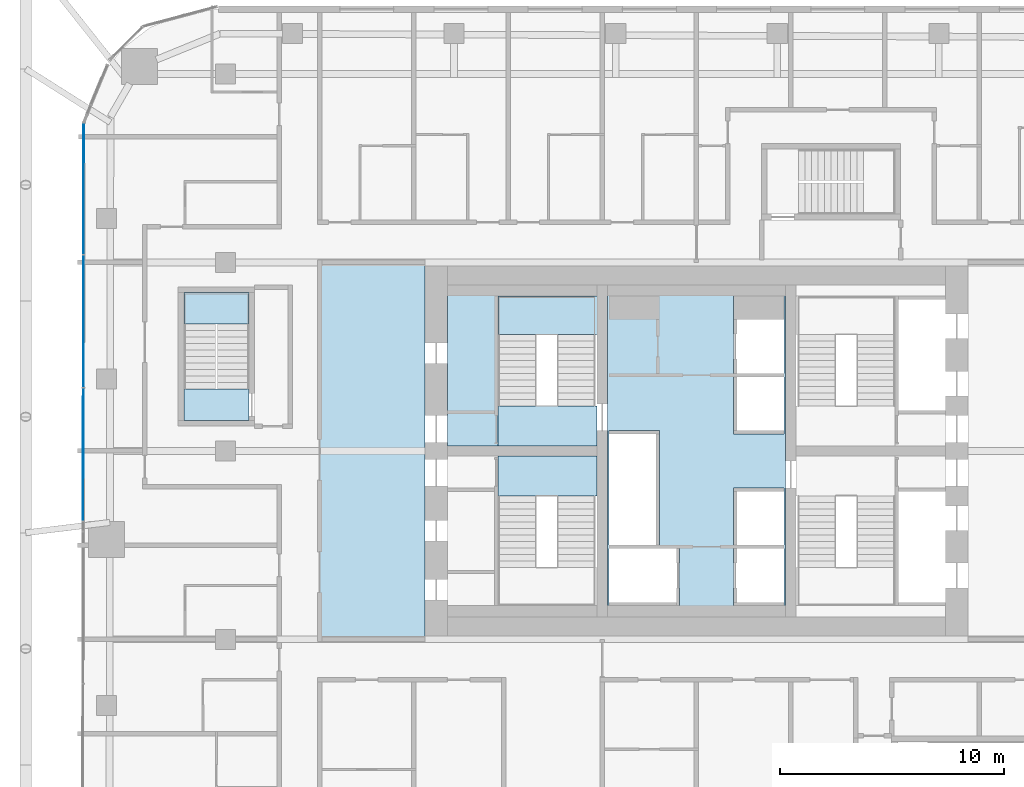
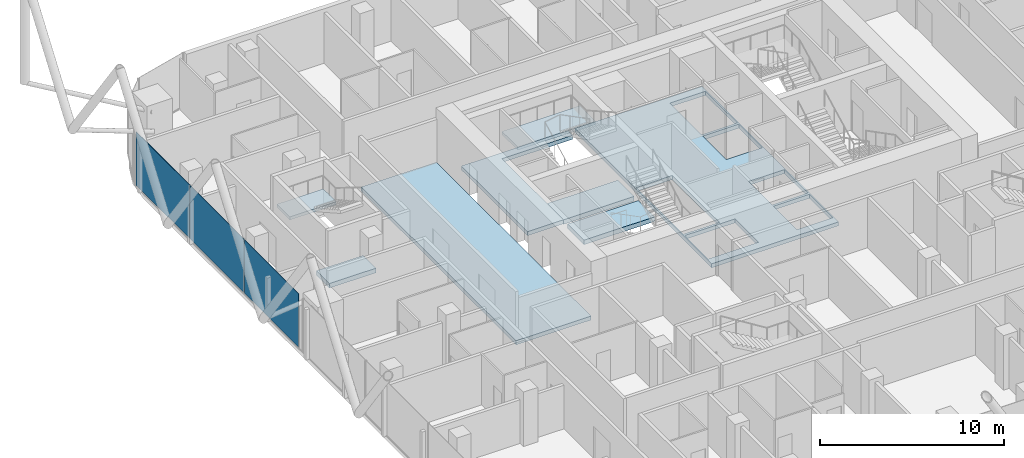
# One storey, part 24 of 36: 8 slabs, 3 plates, 3 elements without a shape of their own.
"""IFC4 building model written with IfcOpenShell, lengths in metres."""

from ifc_helpers import new_model, si_unit, direction, frame, origin, origin_2d, place, context, subcontext, project, spatial, polyline, rectangle, outline, extrude, material, layer, layer_set, type_object, element, aggregate, save


model = new_model("IFC4")

# Units and contexts
model_context = context("Model", 3, precision=1e-05, world=origin(), true_north=direction((0.0, 1.0)))
body_context = subcontext(model_context, "Body", "Model", "MODEL_VIEW")
ifc_project = project(units=[si_unit("LENGTHUNIT", "METRE"), si_unit("AREAUNIT", "SQUARE_METRE"), si_unit("VOLUMEUNIT", "CUBIC_METRE"), si_unit("PLANEANGLEUNIT", "RADIAN"), si_unit("MASSUNIT", "GRAM", prefix="KILO")], contexts=[model_context])

# Site, building, storey
site_placement = place(None, origin())
site = spatial("IfcSite", under=ifc_project, at=site_placement, CompositionType="ELEMENT")
building_placement = place(site_placement, origin())
building = spatial("IfcBuilding", under=site, at=building_placement, Name="Marenta Gate Hotel Tower", CompositionType="ELEMENT")
storey_placement = place(building_placement, frame((0.0, 0.0, 115.699951171875)))
storey = spatial("IfcBuildingStorey", under=building, at=storey_placement, Name="L25", CompositionType="ELEMENT", Elevation=115.699951171875)

# Slabs
ifc_material_1 = material(Name="Concrete C40", Category="concrete")
ifc_layer_1 = layer(ifc_material_1, 0.260009765625)
ifc_layer_set_1 = layer_set([ifc_layer_1], Name="Concrete C40")
slab_type_1 = type_object("IfcSlabType", Name="Core floor slab 260", PredefinedType="FLOOR", material=ifc_layer_set_1)
slab_1_placement = place(storey_placement, frame((0.0, 0.0, -0.260009765625)))
element("IfcSlab", 1, at=slab_1_placement, inside=storey, type_object=slab_type_1, Name="L25-CF-4", PredefinedType="FLOOR", context=body_context, shape_type="SweptSolid", body=[
    extrude(outline(polyline([(3.97509765625, 15.300048828125), (3.97509765625, 10.39990234375), (3.97509765625, 6.39990234375), (3.97509765625, 1.5), (3.97509765625, 1.0), (-3.97509765625, 1.0), (-3.97509765625, 1.5), (-3.97509765625, 6.39990234375), (-3.97509765625, 10.39990234375), (-3.97509765625, 15.300048828125), (-3.97509765625, 15.800048828125), (3.97509765625, 15.800048828125), (3.97509765625, 15.300048828125)]), holes=[polyline([(1.64990234375, 1.5), (3.89990234375, 1.5), (3.89990234375, 1.64990234375), (3.89990234375, 4.050048828125), (1.800048828125, 4.050048828125), (1.64990234375, 4.050048828125), (1.64990234375, 1.64990234375), (1.64990234375, 1.5)]), polyline([(1.64990234375, 6.60009765625), (1.64990234375, 4.199951171875), (1.800048828125, 4.199951171875), (3.89990234375, 4.199951171875), (3.89990234375, 6.60009765625), (3.89990234375, 6.75), (1.64990234375, 6.75), (1.64990234375, 6.60009765625)]), polyline([(1.64990234375, 9.14990234375), (3.89990234375, 9.14990234375), (3.89990234375, 9.300048828125), (3.89990234375, 11.699951171875), (1.800048828125, 11.699951171875), (1.64990234375, 11.699951171875), (1.64990234375, 9.300048828125), (1.64990234375, 9.14990234375)]), polyline([(1.64990234375, 15.300048828125), (1.64990234375, 14.25), (1.64990234375, 11.85009765625), (1.800048828125, 11.85009765625), (3.89990234375, 11.85009765625), (3.89990234375, 14.25), (3.89990234375, 15.300048828125), (1.64990234375, 15.300048828125)]), polyline([(-3.89990234375, 4.050048828125), (-3.89990234375, 1.64990234375), (-3.89990234375, 1.5), (-0.89990234375, 1.5), (-0.75, 1.5), (-0.75, 4.050048828125), (-0.89990234375, 4.050048828125), (-3.89990234375, 4.050048828125)]), polyline([(-1.800048828125, 4.199951171875), (-1.64990234375, 4.199951171875), (-1.64990234375, 9.14990234375), (-1.64990234375, 9.300048828125), (-3.89990234375, 9.300048828125), (-3.89990234375, 9.14990234375), (-3.89990234375, 6.75), (-3.89990234375, 6.60009765625), (-3.89990234375, 4.199951171875), (-1.800048828125, 4.199951171875)])]), origin(), (0.0, 0.0, 1.0), 0.260009765625),
])
slab_2_placement = place(storey_placement, frame((0.0, 0.0, -0.260009765625)))
element("IfcSlab", 2, at=slab_2_placement, inside=storey, type_object=slab_type_1, Name="L25-CF-6", PredefinedType="FLOOR", context=body_context, shape_type="SweptSolid", body=[
    extrude(outline(polyline([(-4.425048828125, 15.300048828125), (-8.85009765625, 15.300048828125), (-8.85009765625, 10.39990234375), (-8.85009765625, 8.699951171875), (-8.85009765625, 8.625), (-11.10009765625, 8.625), (-11.10009765625, 15.800048828125), (-4.425048828125, 15.800048828125), (-4.425048828125, 15.300048828125)])), origin(), (0.0, 0.0, 1.0), 0.260009765625),
])
slab_3_placement = place(storey_placement, frame((0.0, 0.0, -0.260009765625)))
element("IfcSlab", 3, at=slab_3_placement, inside=storey, type_object=slab_type_1, Name="L25-CF-7", PredefinedType="FLOOR", context=body_context, shape_type="SweptSolid", body=[
    extrude(outline(polyline([(-12.10009765625, 16.800048828125), (-12.10009765625, 0.0), (-16.800048828125, 0.0), (-16.800048828125, 16.800048828125), (-12.10009765625, 16.800048828125)])), origin(), (0.0, 0.0, 1.0), 0.260009765625),
])

# Stair, slab
ifc_material_2 = material(Name="Concrete C40", Category="concrete")
stair_type_1 = type_object("IfcStairType", Name="Core exit stair 1700 wide", PredefinedType="HALF_TURN_STAIR", material=ifc_material_2)
stair_1_placement = place(storey_placement, origin())
stair_1 = element("IfcStair", 4, at=stair_1_placement, inside=storey, type_object=stair_type_1, Name="Exit stair 2", PredefinedType="HALF_TURN_STAIR")
ifc_material_3 = material(Name="Concrete C40", Category="concrete")
ifc_layer_2 = layer(ifc_material_3, 0.199951171875)
ifc_layer_set_2 = layer_set([ifc_layer_2], Name="Concrete C40")
slab_type_2 = type_object("IfcSlabType", Name="Core stair landing 200", PredefinedType="LANDING", material=ifc_layer_set_2)
slab_4_placement = place(storey_placement, frame((0.0, 0.0, 1.60009765625)))
slab_4 = element("IfcSlab", 5, at=slab_4_placement, type_object=slab_type_2, Name="SL-200 ST2 landing 1", PredefinedType="LANDING", context=body_context, shape_type="SweptSolid", body=[
    extrude(outline(polyline([(-8.85009765625, 13.590087890625), (-3.97509765625, 13.590087890625), (-3.97509765625, 15.300048828125), (-8.85009765625, 15.300048828125), (-8.85009765625, 13.590087890625)])), origin(), (0.0, 0.0, 1.0), 0.199951171875),
])
aggregate(stair_1, [slab_4])

# Curtain wall, plates
ifc_material_4 = material(Name="Tinted insulated glass in bronze anodised frame", Category="glass")
ifc_layer_3 = layer(ifc_material_4, 0.1201171875)
ifc_layer_set_3 = layer_set([ifc_layer_3], Name="Tinted insulated glass in bronze anodised frame")
curtain_wall_type = type_object("IfcCurtainWallType", Name="Tower unitised curtain wall CW1", PredefinedType="NOTDEFINED", material=ifc_layer_set_3)
curtain_wall_placement = place(storey_placement, origin())
curtain_wall = element("IfcCurtainWall", 6, at=curtain_wall_placement, inside=storey, type_object=curtain_wall_type, Name="CW1 run G06", PredefinedType="NOTDEFINED")
ifc_material_5 = material(Name="Tinted insulated glass", Category="glass")
ifc_layer_4 = layer(ifc_material_5, 0.028076171875)
ifc_layer_set_4 = layer_set([ifc_layer_4], Name="Tinted insulated glass")
plate_type = type_object("IfcPlateType", Name="Glass panel CW1 28 mm tinted insulated unit", PredefinedType="CURTAIN_PANEL", material=ifc_layer_set_4)
plate_1_placement = place(storey_placement, frame((-27.31689453125, 20.0888671875, 0.06005859375), z_axis=(0.0, 0.0, 1.0), x_axis=(-0.001569680138, -0.999998768051, 0.0)))
plate_1 = element("IfcPlate", 7, at=plate_1_placement, type_object=plate_type, Name="CW1 panel 1.1", PredefinedType="CURTAIN_PANEL", context=body_context, shape_type="SweptSolid", body=[
    extrude(rectangle(XDim=5.834716796875, YDim=0.028076171875, at=origin_2d()), origin(), (0.0, 0.0, 1.0), 3.5400390625),
])
plate_2_placement = place(storey_placement, frame((-27.326171875, 14.178955078125, 0.06005859375), z_axis=(0.0, 0.0, 1.0), x_axis=(-0.001569680138, -0.999998768051, 0.0)))
plate_2 = element("IfcPlate", 8, at=plate_2_placement, type_object=plate_type, Name="CW1 panel 2.1", PredefinedType="CURTAIN_PANEL", context=body_context, shape_type="SweptSolid", body=[
    extrude(rectangle(XDim=5.86474609375, YDim=0.028076171875, at=origin_2d()), origin(), (0.0, 0.0, 1.0), 3.5400390625),
])
plate_3_placement = place(storey_placement, frame((-27.335693359375, 8.2392578125, 0.06005859375), z_axis=(0.0, 0.0, 1.0), x_axis=(-0.001569680138, -0.999998768051, 0.0)))
plate_3 = element("IfcPlate", 9, at=plate_3_placement, type_object=plate_type, Name="CW1 panel 3.1", PredefinedType="CURTAIN_PANEL", context=body_context, shape_type="SweptSolid", body=[
    extrude(rectangle(XDim=5.894775390625, YDim=0.028076171875, at=origin_2d()), origin(), (0.0, 0.0, 1.0), 3.5400390625),
])
aggregate(curtain_wall, [plate_1, plate_2, plate_3])

# Stair, slab
ifc_material_6 = material(Name="Concrete C40", Category="concrete")
stair_type_2 = type_object("IfcStairType", Name="Remote exit stair 1400 wide", PredefinedType="HALF_TURN_STAIR", material=ifc_material_6)
stair_2_placement = place(storey_placement, origin())
stair_2 = element("IfcStair", 10, at=stair_2_placement, inside=storey, type_object=stair_type_2, Name="Exit stair RS-Z1-3", PredefinedType="HALF_TURN_STAIR")
ifc_material_7 = material(Name="Concrete C40", Category="concrete")
ifc_layer_5 = layer(ifc_material_7, 0.199951171875)
ifc_layer_set_5 = layer_set([ifc_layer_5], Name="Concrete C40")
slab_type_3 = type_object("IfcSlabType", Name="Remote stair landing 200", PredefinedType="LANDING", material=ifc_layer_set_5)
slab_5_placement = place(storey_placement, frame((0.0, 0.0, 1.60009765625)))
slab_5 = element("IfcSlab", 11, at=slab_5_placement, type_object=slab_type_3, Name="RL-200 RS-Z1-3 landing 1", PredefinedType="LANDING", context=body_context, shape_type="SweptSolid", body=[
    extrude(outline(polyline([(-22.85009765625, 14.050048828125), (-19.949951171875, 14.050048828125), (-19.949951171875, 15.449951171875), (-22.85009765625, 15.449951171875), (-22.85009765625, 14.050048828125)])), origin(), (0.0, 0.0, 1.0), 0.199951171875),
])
aggregate(stair_2, [slab_5])

# Slabs
ifc_material_8 = material(Name="Concrete C40", Category="concrete")
ifc_layer_6 = layer(ifc_material_8, 0.300048828125)
ifc_layer_set_6 = layer_set([ifc_layer_6], Name="Concrete C40")
slab_type_4 = type_object("IfcSlabType", Name="Stair floor landing slab 300", PredefinedType="FLOOR", material=ifc_layer_set_6)
slab_6_placement = place(storey_placement, frame((0.0, 0.0, -0.300048828125)))
element("IfcSlab", 12, at=slab_6_placement, inside=storey, type_object=slab_type_4, Name="L25-CL-ST1-1", PredefinedType="FLOOR", context=body_context, shape_type="SweptSolid", body=[
    extrude(outline(polyline([(-4.425048828125, 6.39990234375), (-8.85009765625, 6.39990234375), (-8.85009765625, 8.10009765625), (-8.85009765625, 8.175048828125), (-4.425048828125, 8.175048828125), (-4.425048828125, 6.39990234375)])), origin(), (0.0, 0.0, 1.0), 0.300048828125),
])
slab_7_placement = place(storey_placement, frame((0.0, 0.0, -0.300048828125)))
element("IfcSlab", 13, at=slab_7_placement, inside=storey, type_object=slab_type_4, Name="L25-CL-ST2-1", PredefinedType="FLOOR", context=body_context, shape_type="SweptSolid", body=[
    extrude(outline(polyline([(-4.425048828125, 8.625), (-8.85009765625, 8.625), (-8.85009765625, 8.699951171875), (-8.85009765625, 10.39990234375), (-4.425048828125, 10.39990234375), (-4.425048828125, 8.625)])), origin(), (0.0, 0.0, 1.0), 0.300048828125),
])
slab_8_placement = place(storey_placement, frame((0.0, 0.0, -0.300048828125)))
element("IfcSlab", 14, at=slab_8_placement, inside=storey, type_object=slab_type_4, Name="L25-RS-Z1-3-CL", PredefinedType="FLOOR", context=body_context, shape_type="SweptSolid", body=[
    extrude(outline(polyline([(-19.949951171875, 9.75), (-19.949951171875, 11.14990234375), (-22.85009765625, 11.14990234375), (-22.85009765625, 9.75), (-19.949951171875, 9.75)])), origin(), (0.0, 0.0, 1.0), 0.300048828125),
])

save(model, "model.ifc")
